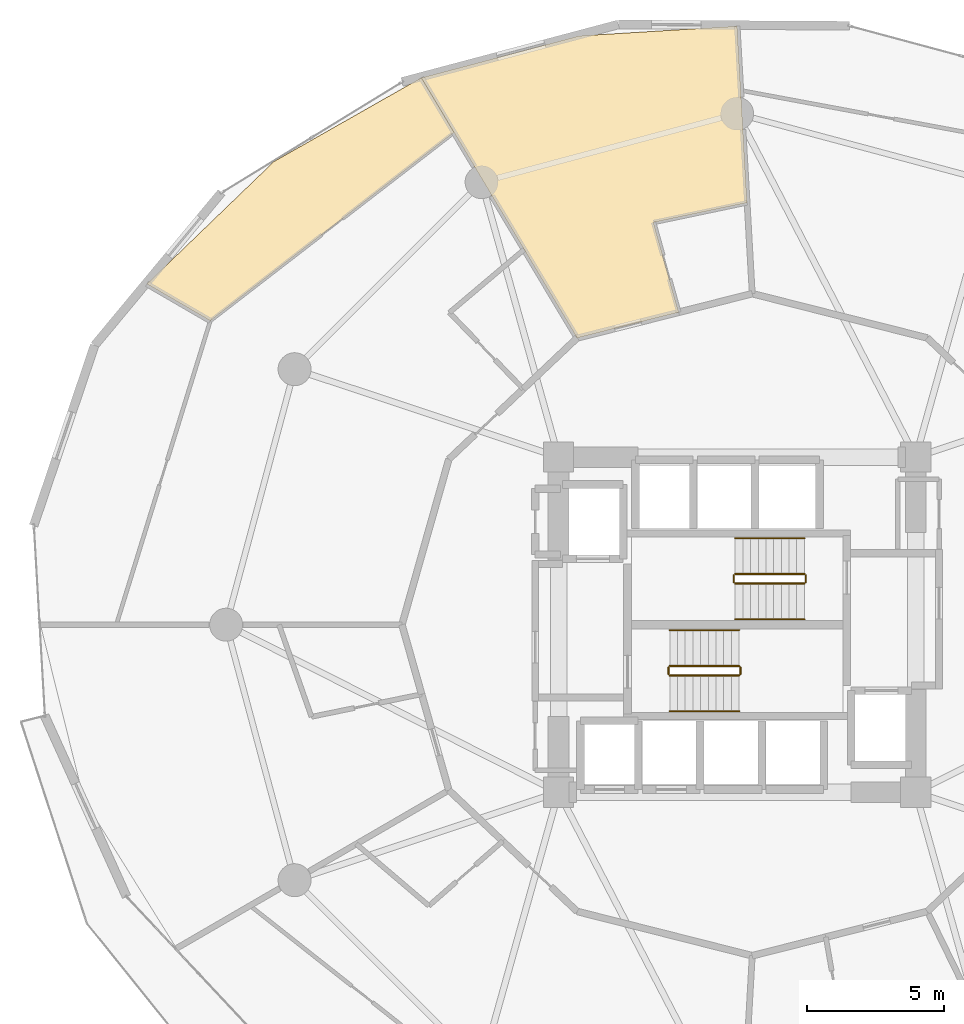
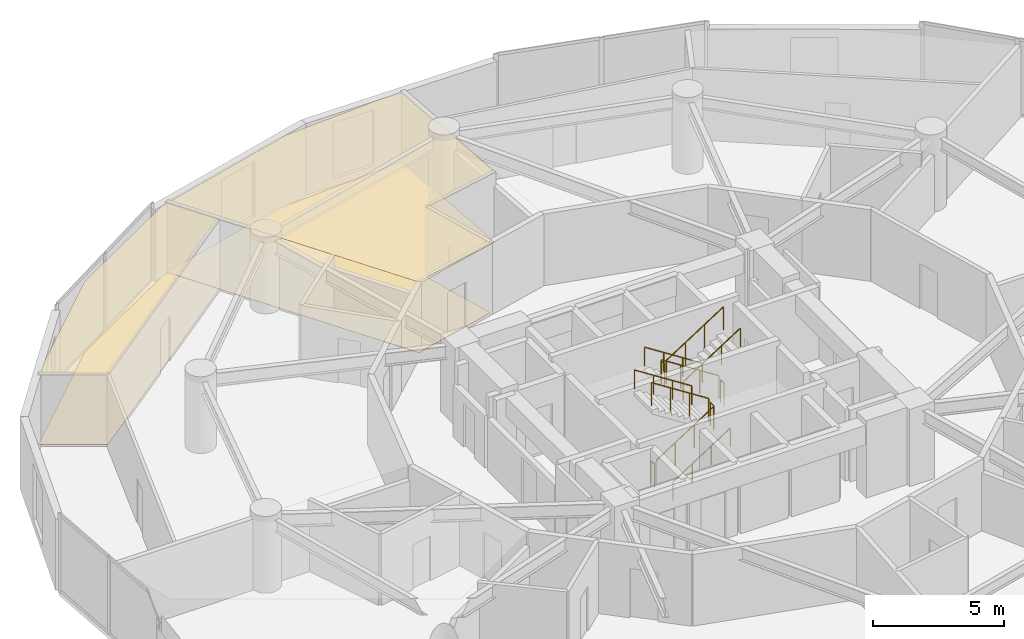
# One storey, part 22 of 23: 12 railings, 4 coverings.
"""IFC4 building model written with IfcOpenShell, lengths in metres."""

from ifc_helpers import new_model, si_unit, direction, frame, origin, origin_2d, place, context, subcontext, project, spatial, polyline, circle, outline, extrude, material, layer, layer_set, type_object, element, save


model = new_model("IFC4")

# Units and contexts
model_context = context("Model", 3, precision=1e-05, world=origin(), true_north=direction((0.0, 1.0)))
body_context = subcontext(model_context, "Body", "Model", "MODEL_VIEW")
ifc_project = project(units=[si_unit("LENGTHUNIT", "METRE"), si_unit("AREAUNIT", "SQUARE_METRE"), si_unit("VOLUMEUNIT", "CUBIC_METRE"), si_unit("PLANEANGLEUNIT", "RADIAN"), si_unit("MASSUNIT", "GRAM", prefix="KILO")], contexts=[model_context])

# Site, building, storey
site_placement = place(None, origin())
site = spatial("IfcSite", under=ifc_project, at=site_placement, CompositionType="ELEMENT")
building_placement = place(site_placement, origin())
building = spatial("IfcBuilding", under=site, at=building_placement, Name="Solvirekh Grand Hotel", CompositionType="ELEMENT")
storey_placement = place(building_placement, frame((0.0, 0.0, 39.199951171875)))
storey = spatial("IfcBuildingStorey", under=building, at=storey_placement, Name="L08", CompositionType="ELEMENT", Elevation=39.199951171875)

# Coverings
ifc_material_1 = material(Name="Acoustic Mineral Ceiling Tile")
ifc_layer_1 = layer(ifc_material_1, 0.02490234375)
ifc_layer_set_1 = layer_set([ifc_layer_1], Name="Acoustic Mineral Ceiling Tile")
covering_type_1 = type_object("IfcCoveringType", Name="Cov_Ceiling_Acoustic", PredefinedType="CEILING", material=ifc_layer_set_1)
covering_1_placement = place(storey_placement, frame((0.0, 0.0, 3.2900390625)))
element("IfcCovering", 1, at=covering_1_placement, inside=storey, type_object=covering_type_1, Name="L08 Deluxe Guestroom 1002 acoustic ceiling", PredefinedType="CEILING", context=body_context, shape_type="SweptSolid", body=[
    extrude(outline(polyline([(-3.044921875, 14.64501953125), (0.363037109375, 15.360107421875), (0.0, 21.785888671875), (-5.742919921875, 21.431884765625), (-11.493896484375, 19.906982421875), (-5.824951171875, 10.43603515625), (-2.126953125, 11.3720703125), (-3.044921875, 14.64501953125)])), origin(), (0.0, 0.0, 1.0), 0.01806640625),
])
covering_2_placement = place(storey_placement, frame((0.0, 0.0, 3.2900390625)))
element("IfcCovering", 2, at=covering_2_placement, inside=storey, type_object=covering_type_1, Name="L08 Executive Suite 1003 Master Bedroom acoustic ceiling", PredefinedType="CEILING", context=body_context, shape_type="SweptSolid", body=[
    extrude(outline(polyline([(-11.493896484375, 19.906982421875), (-16.85888671875, 16.85888671875), (-21.48291015625, 12.403076171875), (-19.175048828125, 11.06396484375), (-10.303955078125, 17.91796875), (-11.493896484375, 19.906982421875)])), origin(), (0.0, 0.0, 1.0), 0.01806640625),
])
ifc_material_2 = material(Name="Porcelain Stoneware Flooring", Category="masonry")
ifc_layer_2 = layer(ifc_material_2, 0.030029296875)
ifc_layer_set_2 = layer_set([ifc_layer_2], Name="Porcelain Stoneware Flooring")
covering_type_2 = type_object("IfcCoveringType", Name="Cov_Floor_Stone", PredefinedType="FLOORING", material=ifc_layer_set_2)
covering_3_placement = place(storey_placement, origin())
element("IfcCovering", 3, at=covering_3_placement, inside=storey, type_object=covering_type_2, Name="L08 Deluxe Guestroom 1002 polished granite flooring", PredefinedType="FLOORING", context=body_context, shape_type="SweptSolid", body=[
    extrude(outline(polyline([(-3.044921875, 14.64501953125), (0.363037109375, 15.360107421875), (0.0, 21.785888671875), (-5.742919921875, 21.431884765625), (-11.493896484375, 19.906982421875), (-5.824951171875, 10.43603515625), (-2.126953125, 11.3720703125), (-3.044921875, 14.64501953125)])), origin(), (0.0, 0.0, 1.0), 0.02001953125),
])
covering_4_placement = place(storey_placement, origin())
element("IfcCovering", 4, at=covering_4_placement, inside=storey, type_object=covering_type_2, Name="L08 Executive Suite 1003 Master Bedroom polished granite flooring", PredefinedType="FLOORING", context=body_context, shape_type="SweptSolid", body=[
    extrude(outline(polyline([(-11.493896484375, 19.906982421875), (-16.85888671875, 16.85888671875), (-21.48291015625, 12.403076171875), (-19.175048828125, 11.06396484375), (-10.303955078125, 17.91796875), (-11.493896484375, 19.906982421875)])), origin(), (0.0, 0.0, 1.0), 0.02001953125),
])

# Railings
ifc_material_3 = material(Name="Steel S355", Category="steel")
railing_type_1 = type_object("IfcRailingType", Name="Guard_Stair_1100", PredefinedType="GUARDRAIL", material=ifc_material_3)
railing_1_placement = place(storey_placement, frame((-2.449951171875, -1.85009765625, 0.179931640625)))
element("IfcRailing", 5, at=railing_1_placement, inside=storey, type_object=railing_type_1, Name="L08 ST-1 stair guard 1", PredefinedType="GUARDRAIL", context=body_context, shape_type="SweptSolid", body=[
    extrude(circle(Radius=0.02392578125, at=origin_2d()), frame((0.0, 0.0, 1.076171875), z_axis=(0.841162588446, 0.0, 0.540782303519), x_axis=(0.0, 1.0, 0.0)), (0.0, 0.0, 1.0), 2.995849609375),
    extrude(circle(Radius=0.02099609375, at=origin_2d()), origin(), (0.0, 0.0, 1.0), 1.052001953125),
    extrude(circle(Radius=0.02099609375, at=origin_2d()), frame((0.840087890625, 0.0, 0.5400390625)), (0.0, 0.0, 1.0), 1.052001953125),
    extrude(circle(Radius=0.02099609375, at=origin_2d()), frame((1.679931640625, 0.0, 1.080078125)), (0.0, 0.0, 1.0), 1.052001953125),
    extrude(circle(Radius=0.02099609375, at=origin_2d()), frame((2.52001953125, 0.0, 1.6201171875)), (0.0, 0.0, 1.0), 1.052001953125),
])
railing_2_placement = place(storey_placement, frame((0.1201171875, -1.800048828125, 1.800048828125)))
element("IfcRailing", 6, at=railing_2_placement, inside=storey, type_object=railing_type_1, Name="L08 ST-1 stair guard 2", PredefinedType="GUARDRAIL", context=body_context, shape_type="SweptSolid", body=[
    extrude(circle(Radius=0.02392578125, at=origin_2d()), frame((0.0, 0.0, 1.076171875), z_axis=(0.0, 1.0, 0.0), x_axis=(-1.0, 0.0, 0.0)), (0.0, 0.0, 1.0), 0.25),
    extrude(circle(Radius=0.02099609375, at=origin_2d()), origin(), (0.0, 0.0, 1.0), 1.052001953125),
    extrude(circle(Radius=0.02099609375, at=origin_2d()), frame((0.0, 0.25, 0.0)), (0.0, 0.0, 1.0), 1.052001953125),
])
railing_3_placement = place(storey_placement, frame((0.070068359375, -1.5, 1.97998046875)))
element("IfcRailing", 7, at=railing_3_placement, inside=storey, type_object=railing_type_1, Name="L08 ST-1 stair guard 3", PredefinedType="GUARDRAIL", context=body_context, shape_type="SweptSolid", body=[
    extrude(circle(Radius=0.02392578125, at=origin_2d()), frame((0.0, 0.0, 1.076171875), z_axis=(-0.841162588446, 0.0, 0.540782303519), x_axis=(0.0, -1.0, 0.0)), (0.0, 0.0, 1.0), 2.995849609375),
    extrude(circle(Radius=0.02099609375, at=origin_2d()), origin(), (0.0, 0.0, 1.0), 1.052001953125),
    extrude(circle(Radius=0.02099609375, at=origin_2d()), frame((-0.840087890625, 0.0, 0.5400390625)), (0.0, 0.0, 1.0), 1.052001953125),
    extrude(circle(Radius=0.02099609375, at=origin_2d()), frame((-1.679931640625, 0.0, 1.080078125)), (0.0, 0.0, 1.0), 1.052001953125),
    extrude(circle(Radius=0.02099609375, at=origin_2d()), frame((-2.52001953125, 0.0, 1.6201171875)), (0.0, 0.0, 1.0), 1.052001953125),
])
railing_4_placement = place(storey_placement, frame((-2.5, -1.800048828125, 0.0)))
element("IfcRailing", 8, at=railing_4_placement, inside=storey, type_object=railing_type_1, Name="L08 ST-1 stair guard 4", PredefinedType="GUARDRAIL", context=body_context, shape_type="SweptSolid", body=[
    extrude(circle(Radius=0.02392578125, at=origin_2d()), frame((0.0, 0.0, 1.076171875), z_axis=(0.0, 1.0, 0.0), x_axis=(-1.0, 0.0, 0.0)), (0.0, 0.0, 1.0), 0.25),
    extrude(circle(Radius=0.02099609375, at=origin_2d()), origin(), (0.0, 0.0, 1.0), 1.052001953125),
    extrude(circle(Radius=0.02099609375, at=origin_2d()), frame((0.0, 0.25, 0.0)), (0.0, 0.0, 1.0), 1.052001953125),
])
railing_5_placement = place(storey_placement, frame((2.449951171875, 1.85009765625, 0.179931640625)))
element("IfcRailing", 9, at=railing_5_placement, inside=storey, type_object=railing_type_1, Name="L08 ST-2 stair guard 1", PredefinedType="GUARDRAIL", context=body_context, shape_type="SweptSolid", body=[
    extrude(circle(Radius=0.02392578125, at=origin_2d()), frame((0.0, 0.0, 1.076171875), z_axis=(-0.841162588446, 0.0, 0.540782303519), x_axis=(0.0, -1.0, 0.0)), (0.0, 0.0, 1.0), 2.995849609375),
    extrude(circle(Radius=0.02099609375, at=origin_2d()), origin(), (0.0, 0.0, 1.0), 1.052001953125),
    extrude(circle(Radius=0.02099609375, at=origin_2d()), frame((-0.840087890625, 0.0, 0.5400390625)), (0.0, 0.0, 1.0), 1.052001953125),
    extrude(circle(Radius=0.02099609375, at=origin_2d()), frame((-1.679931640625, 0.0, 1.080078125)), (0.0, 0.0, 1.0), 1.052001953125),
    extrude(circle(Radius=0.02099609375, at=origin_2d()), frame((-2.52001953125, 0.0, 1.6201171875)), (0.0, 0.0, 1.0), 1.052001953125),
])
railing_6_placement = place(storey_placement, frame((-0.1201171875, 1.800048828125, 1.800048828125)))
element("IfcRailing", 10, at=railing_6_placement, inside=storey, type_object=railing_type_1, Name="L08 ST-2 stair guard 2", PredefinedType="GUARDRAIL", context=body_context, shape_type="SweptSolid", body=[
    extrude(circle(Radius=0.02392578125, at=origin_2d()), frame((0.0, 0.0, 1.076171875), z_axis=(0.0, -1.0, 0.0), x_axis=(1.0, 0.0, 0.0)), (0.0, 0.0, 1.0), 0.25),
    extrude(circle(Radius=0.02099609375, at=origin_2d()), origin(), (0.0, 0.0, 1.0), 1.052001953125),
    extrude(circle(Radius=0.02099609375, at=origin_2d()), frame((0.0, -0.25, 0.0)), (0.0, 0.0, 1.0), 1.052001953125),
])
railing_7_placement = place(storey_placement, frame((-0.070068359375, 1.5, 1.97998046875)))
element("IfcRailing", 11, at=railing_7_placement, inside=storey, type_object=railing_type_1, Name="L08 ST-2 stair guard 3", PredefinedType="GUARDRAIL", context=body_context, shape_type="SweptSolid", body=[
    extrude(circle(Radius=0.02392578125, at=origin_2d()), frame((0.0, 0.0, 1.076171875), z_axis=(0.841162588446, 0.0, 0.540782303519), x_axis=(0.0, 1.0, 0.0)), (0.0, 0.0, 1.0), 2.995849609375),
    extrude(circle(Radius=0.02099609375, at=origin_2d()), origin(), (0.0, 0.0, 1.0), 1.052001953125),
    extrude(circle(Radius=0.02099609375, at=origin_2d()), frame((0.840087890625, 0.0, 0.5400390625)), (0.0, 0.0, 1.0), 1.052001953125),
    extrude(circle(Radius=0.02099609375, at=origin_2d()), frame((1.679931640625, 0.0, 1.080078125)), (0.0, 0.0, 1.0), 1.052001953125),
    extrude(circle(Radius=0.02099609375, at=origin_2d()), frame((2.52001953125, 0.0, 1.6201171875)), (0.0, 0.0, 1.0), 1.052001953125),
])
railing_8_placement = place(storey_placement, frame((2.5, 1.800048828125, 0.0)))
element("IfcRailing", 12, at=railing_8_placement, inside=storey, type_object=railing_type_1, Name="L08 ST-2 stair guard 4", PredefinedType="GUARDRAIL", context=body_context, shape_type="SweptSolid", body=[
    extrude(circle(Radius=0.02392578125, at=origin_2d()), frame((0.0, 0.0, 1.076171875), z_axis=(0.0, -1.0, 0.0), x_axis=(1.0, 0.0, 0.0)), (0.0, 0.0, 1.0), 0.25),
    extrude(circle(Radius=0.02099609375, at=origin_2d()), origin(), (0.0, 0.0, 1.0), 1.052001953125),
    extrude(circle(Radius=0.02099609375, at=origin_2d()), frame((0.0, -0.25, 0.0)), (0.0, 0.0, 1.0), 1.052001953125),
])
ifc_material_4 = material(Name="Anodized Bronze Aluminium 6063-T6", Category="aluminium")
railing_type_2 = type_object("IfcRailingType", Name="Handrail_Wall_900", PredefinedType="HANDRAIL", material=ifc_material_4)
railing_9_placement = place(storey_placement, frame((-2.449951171875, -3.14990234375, 0.179931640625)))
element("IfcRailing", 13, at=railing_9_placement, inside=storey, type_object=railing_type_2, Name="L08 ST-1 stair handrail 1", PredefinedType="HANDRAIL", context=body_context, shape_type="SweptSolid", body=[
    extrude(circle(Radius=0.02392578125, at=origin_2d()), frame((0.0, 0.0, 0.8759765625), z_axis=(0.841162588446, 0.0, 0.540782303519), x_axis=(0.0, 1.0, 0.0)), (0.0, 0.0, 1.0), 2.995849609375),
    extrude(circle(Radius=0.02099609375, at=origin_2d()), origin(), (0.0, 0.0, 1.0), 0.851806640625),
    extrude(circle(Radius=0.02099609375, at=origin_2d()), frame((0.840087890625, 0.0, 0.5400390625)), (0.0, 0.0, 1.0), 0.851806640625),
    extrude(circle(Radius=0.02099609375, at=origin_2d()), frame((1.679931640625, 0.0, 1.080078125)), (0.0, 0.0, 1.0), 0.851806640625),
    extrude(circle(Radius=0.02099609375, at=origin_2d()), frame((2.52001953125, 0.0, 1.6201171875)), (0.0, 0.0, 1.0), 0.851806640625),
])
for number, where, name in (
    (14, (0.070068359375, -0.199951171875, 1.97998046875), "L08 ST-1 stair handrail 2"),
    (15, (2.449951171875, 3.14990234375, 0.179931640625), "L08 ST-2 stair handrail 1"),
):
    element("IfcRailing", number, at=place(storey_placement, frame(where)), inside=storey, type_object=railing_type_2, Name=name, PredefinedType="HANDRAIL", context=body_context, shape_type="SweptSolid", body=[
        extrude(circle(Radius=0.02392578125, at=origin_2d()), frame((0.0, 0.0, 0.8759765625), z_axis=(-0.841162588446, 0.0, 0.540782303519), x_axis=(0.0, -1.0, 0.0)), (0.0, 0.0, 1.0), 2.995849609375),
        extrude(circle(Radius=0.02099609375, at=origin_2d()), origin(), (0.0, 0.0, 1.0), 0.851806640625),
        extrude(circle(Radius=0.02099609375, at=origin_2d()), frame((-0.840087890625, 0.0, 0.5400390625)), (0.0, 0.0, 1.0), 0.851806640625),
        extrude(circle(Radius=0.02099609375, at=origin_2d()), frame((-1.679931640625, 0.0, 1.080078125)), (0.0, 0.0, 1.0), 0.851806640625),
        extrude(circle(Radius=0.02099609375, at=origin_2d()), frame((-2.52001953125, 0.0, 1.6201171875)), (0.0, 0.0, 1.0), 0.851806640625),
    ])
railing_10_placement = place(storey_placement, frame((-0.070068359375, 0.199951171875, 1.97998046875)))
element("IfcRailing", 16, at=railing_10_placement, inside=storey, type_object=railing_type_2, Name="L08 ST-2 stair handrail 2", PredefinedType="HANDRAIL", context=body_context, shape_type="SweptSolid", body=[
    extrude(circle(Radius=0.02392578125, at=origin_2d()), frame((0.0, 0.0, 0.8759765625), z_axis=(0.841162588446, 0.0, 0.540782303519), x_axis=(0.0, 1.0, 0.0)), (0.0, 0.0, 1.0), 2.995849609375),
    extrude(circle(Radius=0.02099609375, at=origin_2d()), origin(), (0.0, 0.0, 1.0), 0.851806640625),
    extrude(circle(Radius=0.02099609375, at=origin_2d()), frame((0.840087890625, 0.0, 0.5400390625)), (0.0, 0.0, 1.0), 0.851806640625),
    extrude(circle(Radius=0.02099609375, at=origin_2d()), frame((1.679931640625, 0.0, 1.080078125)), (0.0, 0.0, 1.0), 0.851806640625),
    extrude(circle(Radius=0.02099609375, at=origin_2d()), frame((2.52001953125, 0.0, 1.6201171875)), (0.0, 0.0, 1.0), 0.851806640625),
])

save(model, "model.ifc")
